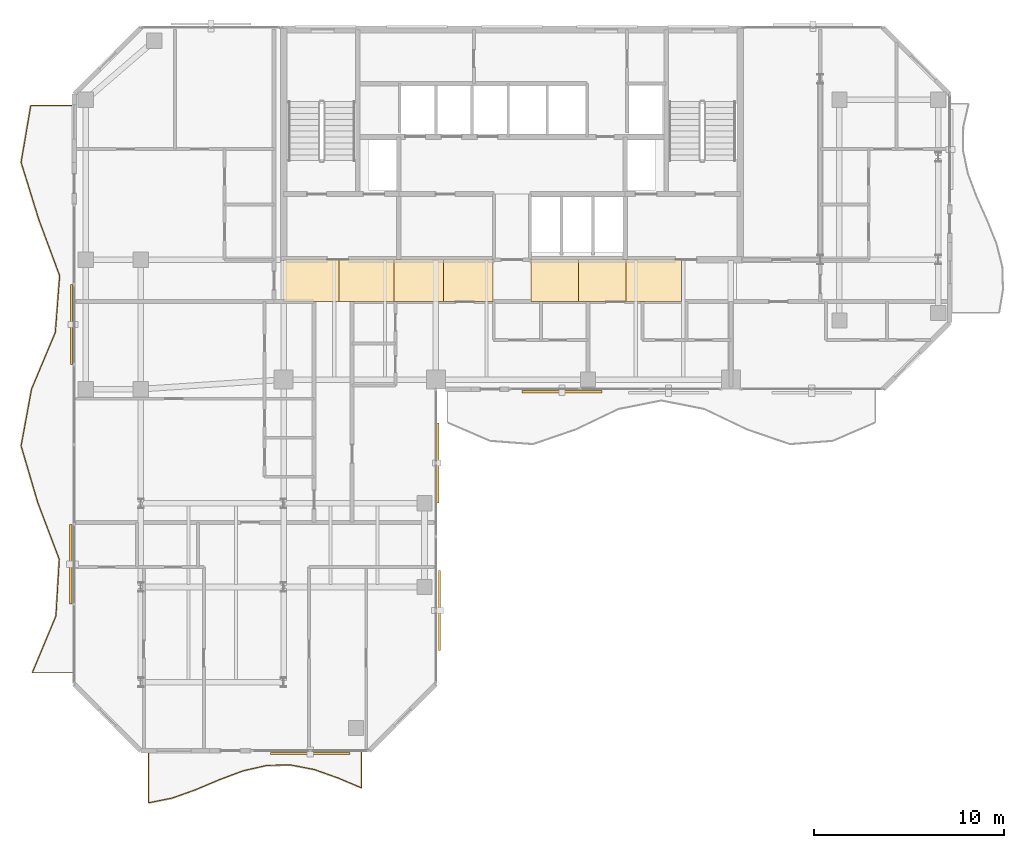
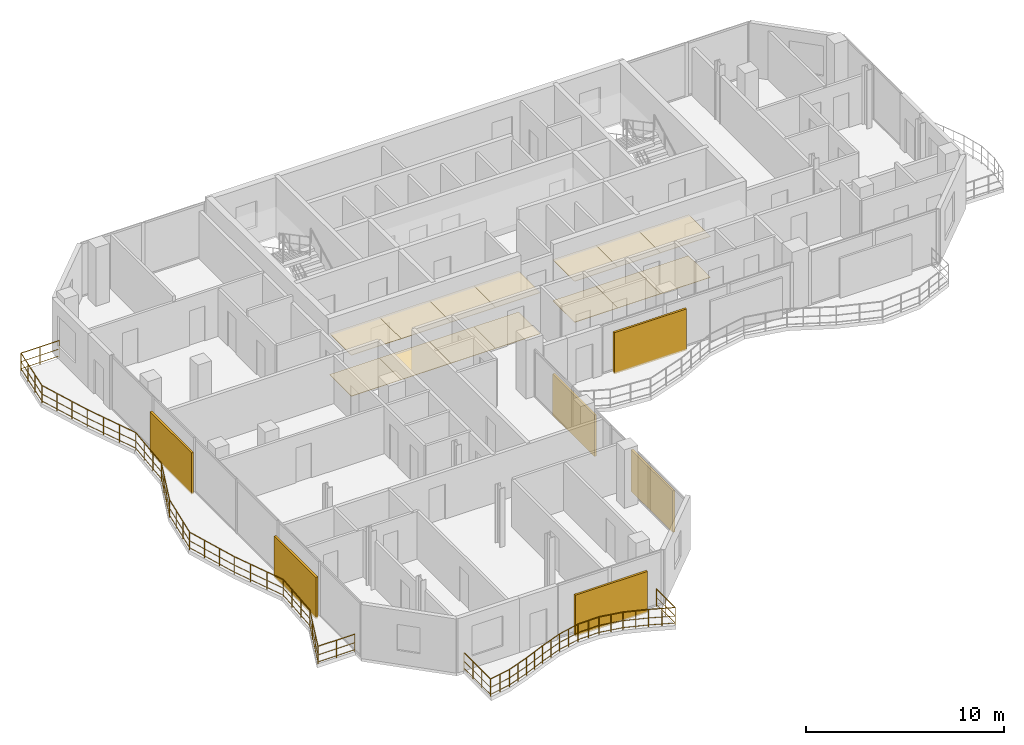
# One storey, part 22 of 24: 14 coverings, 6 shading devices, 2 railings.
"""IFC4 building model written with IfcOpenShell, lengths in metres."""

from ifc_helpers import new_model, si_unit, direction, frame, origin, origin_2d, place, context, subcontext, project, spatial, polyline, rectangle, circle, outline, extrude, material, layer, layer_set, type_object, element, save


model = new_model("IFC4")

# Units and contexts
model_context = context("Model", 3, precision=1e-05, world=origin(), true_north=direction((0.0, 1.0)))
body_context = subcontext(model_context, "Body", "Model", "MODEL_VIEW")
ifc_project = project(units=[si_unit("LENGTHUNIT", "METRE"), si_unit("AREAUNIT", "SQUARE_METRE"), si_unit("VOLUMEUNIT", "CUBIC_METRE"), si_unit("PLANEANGLEUNIT", "RADIAN"), si_unit("MASSUNIT", "GRAM", prefix="KILO")], contexts=[model_context])

# Site, building, storey
site_placement = place(None, origin())
site = spatial("IfcSite", under=ifc_project, at=site_placement, CompositionType="ELEMENT")
building_placement = place(site_placement, origin())
building = spatial("IfcBuilding", under=site, at=building_placement, Name="Catumbela Crestline Tower", CompositionType="ELEMENT")
storey_placement = place(building_placement, frame((0.0, 0.0, 154.2)))
storey = spatial("IfcBuildingStorey", under=building, at=storey_placement, Name="L39", CompositionType="ELEMENT", Elevation=154.2)

# Coverings
ifc_material_1 = material(Name="Mineral-fibre acoustic ceiling")
ifc_layer_1 = layer(ifc_material_1, 0.03, Name="Mineral-fibre acoustic ceiling")
ifc_layer_set_1 = layer_set([ifc_layer_1], Name="Mineral-fibre acoustic ceiling")
covering_type_1 = type_object("IfcCoveringType", Name="CC-AC", PredefinedType="CEILING", material=ifc_layer_set_1)
covering_1_placement = place(storey_placement, frame((0.0, 0.0, 2.52)))
element("IfcCovering", 1, at=covering_1_placement, inside=storey, type_object=covering_type_1, Name="L39 Corridor Acoustic Ceiling Bay 1", PredefinedType="CEILING", context=body_context, shape_type="SweptSolid", body=[
    extrude(outline(polyline([(16.0, 28.6), (18.9, 28.6), (18.9, 30.8), (16.0, 30.8), (16.0, 28.6)])), origin(), (0.0, 0.0, 1.0), 0.03),
])
covering_2_placement = place(storey_placement, frame((0.0, 0.0, 2.52)))
element("IfcCovering", 2, at=covering_2_placement, inside=storey, type_object=covering_type_1, Name="L39 Corridor Acoustic Ceiling Bay 2", PredefinedType="CEILING", context=body_context, shape_type="SweptSolid", body=[
    extrude(outline(polyline([(18.9, 28.6), (21.8, 28.6), (21.8, 30.8), (18.9, 30.8), (18.9, 28.6)])), origin(), (0.0, 0.0, 1.0), 0.03),
])
covering_3_placement = place(storey_placement, frame((0.0, 0.0, 2.52)))
element("IfcCovering", 3, at=covering_3_placement, inside=storey, type_object=covering_type_1, Name="L39 Corridor Acoustic Ceiling Bay 3", PredefinedType="CEILING", context=body_context, shape_type="SweptSolid", body=[
    extrude(outline(polyline([(21.8, 28.6), (24.4, 28.6), (24.4, 30.8), (21.8, 30.8), (21.8, 28.6)])), origin(), (0.0, 0.0, 1.0), 0.03),
])
covering_4_placement = place(storey_placement, frame((0.0, 0.0, 2.52)))
element("IfcCovering", 4, at=covering_4_placement, inside=storey, type_object=covering_type_1, Name="L39 Corridor Acoustic Ceiling Bay 4", PredefinedType="CEILING", context=body_context, shape_type="SweptSolid", body=[
    extrude(outline(polyline([(24.4, 28.6), (27.0, 28.6), (27.0, 30.8), (24.4, 30.8), (24.4, 28.6)])), origin(), (0.0, 0.0, 1.0), 0.03),
])
covering_5_placement = place(storey_placement, frame((0.0, 0.0, 2.52)))
element("IfcCovering", 5, at=covering_5_placement, inside=storey, type_object=covering_type_1, Name="L39 Corridor Acoustic Ceiling Bay 5", PredefinedType="CEILING", context=body_context, shape_type="SweptSolid", body=[
    extrude(outline(polyline([(29.0, 28.6), (31.5, 28.6), (31.5, 30.8), (29.0, 30.8), (29.0, 28.6)])), origin(), (0.0, 0.0, 1.0), 0.03),
])
covering_6_placement = place(storey_placement, frame((0.0, 0.0, 2.52)))
element("IfcCovering", 6, at=covering_6_placement, inside=storey, type_object=covering_type_1, Name="L39 Corridor Acoustic Ceiling Bay 6", PredefinedType="CEILING", context=body_context, shape_type="SweptSolid", body=[
    extrude(outline(polyline([(31.5, 28.6), (34.0, 28.6), (34.0, 30.8), (31.5, 30.8), (31.5, 28.6)])), origin(), (0.0, 0.0, 1.0), 0.03),
])
covering_7_placement = place(storey_placement, frame((0.0, 0.0, 2.52)))
element("IfcCovering", 7, at=covering_7_placement, inside=storey, type_object=covering_type_1, Name="L39 Corridor Acoustic Ceiling Bay 7", PredefinedType="CEILING", context=body_context, shape_type="SweptSolid", body=[
    extrude(outline(polyline([(34.0, 28.6), (36.9, 28.6), (36.9, 30.8), (34.0, 30.8), (34.0, 28.6)])), origin(), (0.0, 0.0, 1.0), 0.03),
])
ifc_material_2 = material(Name="Angolan grey-ochre granite", Category="masonry")
ifc_layer_2 = layer(ifc_material_2, 0.025, Name="Angolan grey-ochre granite")
ifc_layer_set_2 = layer_set([ifc_layer_2], Name="Angolan grey-ochre granite")
covering_type_2 = type_object("IfcCoveringType", Name="CF-GR", PredefinedType="FLOORING", material=ifc_layer_set_2)
covering_8_placement = place(storey_placement, origin())
element("IfcCovering", 8, at=covering_8_placement, inside=storey, type_object=covering_type_2, Name="L39 Corridor Granite Flooring Bay 1", PredefinedType="FLOORING", context=body_context, shape_type="SweptSolid", body=[
    extrude(outline(polyline([(16.0, 28.6), (18.9, 28.6), (18.9, 30.8), (16.0, 30.8), (16.0, 28.6)])), origin(), (0.0, 0.0, 1.0), 0.025),
])
covering_9_placement = place(storey_placement, origin())
element("IfcCovering", 9, at=covering_9_placement, inside=storey, type_object=covering_type_2, Name="L39 Corridor Granite Flooring Bay 2", PredefinedType="FLOORING", context=body_context, shape_type="SweptSolid", body=[
    extrude(outline(polyline([(18.9, 28.6), (21.8, 28.6), (21.8, 30.8), (18.9, 30.8), (18.9, 28.6)])), origin(), (0.0, 0.0, 1.0), 0.025),
])
covering_10_placement = place(storey_placement, origin())
element("IfcCovering", 10, at=covering_10_placement, inside=storey, type_object=covering_type_2, Name="L39 Corridor Granite Flooring Bay 3", PredefinedType="FLOORING", context=body_context, shape_type="SweptSolid", body=[
    extrude(outline(polyline([(21.8, 28.6), (24.4, 28.6), (24.4, 30.8), (21.8, 30.8), (21.8, 28.6)])), origin(), (0.0, 0.0, 1.0), 0.025),
])
covering_11_placement = place(storey_placement, origin())
element("IfcCovering", 11, at=covering_11_placement, inside=storey, type_object=covering_type_2, Name="L39 Corridor Granite Flooring Bay 4", PredefinedType="FLOORING", context=body_context, shape_type="SweptSolid", body=[
    extrude(outline(polyline([(24.4, 28.6), (27.0, 28.6), (27.0, 30.8), (24.4, 30.8), (24.4, 28.6)])), origin(), (0.0, 0.0, 1.0), 0.025),
])
covering_12_placement = place(storey_placement, origin())
element("IfcCovering", 12, at=covering_12_placement, inside=storey, type_object=covering_type_2, Name="L39 Corridor Granite Flooring Bay 5", PredefinedType="FLOORING", context=body_context, shape_type="SweptSolid", body=[
    extrude(outline(polyline([(29.0, 28.6), (31.5, 28.6), (31.5, 30.8), (29.0, 30.8), (29.0, 28.6)])), origin(), (0.0, 0.0, 1.0), 0.025),
])
covering_13_placement = place(storey_placement, origin())
element("IfcCovering", 13, at=covering_13_placement, inside=storey, type_object=covering_type_2, Name="L39 Corridor Granite Flooring Bay 6", PredefinedType="FLOORING", context=body_context, shape_type="SweptSolid", body=[
    extrude(outline(polyline([(31.5, 28.6), (34.0, 28.6), (34.0, 30.8), (31.5, 30.8), (31.5, 28.6)])), origin(), (0.0, 0.0, 1.0), 0.025),
])
covering_14_placement = place(storey_placement, origin())
element("IfcCovering", 14, at=covering_14_placement, inside=storey, type_object=covering_type_2, Name="L39 Corridor Granite Flooring Bay 7", PredefinedType="FLOORING", context=body_context, shape_type="SweptSolid", body=[
    extrude(outline(polyline([(34.0, 28.6), (36.9, 28.6), (36.9, 30.8), (34.0, 30.8), (34.0, 28.6)])), origin(), (0.0, 0.0, 1.0), 0.025),
])

# Railings
ifc_material_3 = material(Name="Stainless steel EN 1.4401", Category="steel")
railing_type = type_object("IfcRailingType", Name="RB-1100", PredefinedType="BALUSTRADE", material=ifc_material_3)
railing_1_placement = place(storey_placement, frame((8.9, 4.94, 0.0)))
element("IfcRailing", 15, at=railing_1_placement, inside=storey, type_object=railing_type, Name="L39 Private Wave Balcony Balustrade 3", PredefinedType="BALUSTRADE", context=body_context, shape_type="SweptSolid", body=[
    extrude(circle(Radius=0.024, at=origin_2d()), frame((0.0, 0.0, 1.076), z_axis=(0.0, -1.0, 0.0), x_axis=(1.0, 0.0, 0.0)), (0.0, 0.0, 1.0), 2.6733),
    extrude(circle(Radius=0.0156, at=origin_2d()), frame((0.0, 0.0, 0.55), z_axis=(0.0, -1.0, 0.0), x_axis=(1.0, 0.0, 0.0)), (0.0, 0.0, 1.0), 2.6733),
    extrude(circle(Radius=0.0156, at=origin_2d()), frame((0.0, 0.0, 0.12), z_axis=(0.0, -1.0, 0.0), x_axis=(1.0, 0.0, 0.0)), (0.0, 0.0, 1.0), 2.6733),
    extrude(circle(Radius=0.024, at=origin_2d()), frame((0.0, -2.6733, 1.076), z_axis=(0.980819432038, 0.194918551545, 0.0), x_axis=(-0.194918551545, 0.980819432038, 0.0)), (0.0, 0.0, 1.0), 1.2687),
    extrude(circle(Radius=0.0156, at=origin_2d()), frame((0.0, -2.6733, 0.55), z_axis=(0.980819432038, 0.194918551545, 0.0), x_axis=(-0.194918551545, 0.980819432038, 0.0)), (0.0, 0.0, 1.0), 1.2687),
    extrude(circle(Radius=0.0156, at=origin_2d()), frame((0.0, -2.6733, 0.12), z_axis=(0.980819432038, 0.194918551545, 0.0), x_axis=(-0.194918551545, 0.980819432038, 0.0)), (0.0, 0.0, 1.0), 1.2687),
    extrude(circle(Radius=0.024, at=origin_2d()), frame((1.2444, -2.426, 1.076), z_axis=(0.94149347443, 0.337031211618, 0.0), x_axis=(-0.337031211618, 0.94149347443, 0.0)), (0.0, 0.0, 1.0), 1.3218),
    extrude(circle(Radius=0.0156, at=origin_2d()), frame((1.2444, -2.426, 0.55), z_axis=(0.94149347443, 0.337031211618, 0.0), x_axis=(-0.337031211618, 0.94149347443, 0.0)), (0.0, 0.0, 1.0), 1.3218),
    extrude(circle(Radius=0.0156, at=origin_2d()), frame((1.2444, -2.426, 0.12), z_axis=(0.94149347443, 0.337031211618, 0.0), x_axis=(-0.337031211618, 0.94149347443, 0.0)), (0.0, 0.0, 1.0), 1.3218),
    extrude(circle(Radius=0.024, at=origin_2d()), frame((2.4889, -1.9805, 1.076), z_axis=(0.921279625293, 0.388900825431, 0.0), x_axis=(-0.388900825431, 0.921279625293, 0.0)), (0.0, 0.0, 1.0), 1.3507),
    extrude(circle(Radius=0.0156, at=origin_2d()), frame((2.4889, -1.9805, 0.55), z_axis=(0.921279625293, 0.388900825431, 0.0), x_axis=(-0.388900825431, 0.921279625293, 0.0)), (0.0, 0.0, 1.0), 1.3507),
    extrude(circle(Radius=0.0156, at=origin_2d()), frame((2.4889, -1.9805, 0.12), z_axis=(0.921279625293, 0.388900825431, 0.0), x_axis=(-0.388900825431, 0.921279625293, 0.0)), (0.0, 0.0, 1.0), 1.3507),
    extrude(circle(Radius=0.024, at=origin_2d()), frame((3.7333, -1.4552, 1.076), z_axis=(0.936597979253, 0.350405800836, 0.0), x_axis=(-0.350405800836, 0.936597979253, 0.0)), (0.0, 0.0, 1.0), 1.3287),
    extrude(circle(Radius=0.0156, at=origin_2d()), frame((3.7333, -1.4552, 0.55), z_axis=(0.936597979253, 0.350405800836, 0.0), x_axis=(-0.350405800836, 0.936597979253, 0.0)), (0.0, 0.0, 1.0), 1.3287),
    extrude(circle(Radius=0.0156, at=origin_2d()), frame((3.7333, -1.4552, 0.12), z_axis=(0.936597979253, 0.350405800836, 0.0), x_axis=(-0.350405800836, 0.936597979253, 0.0)), (0.0, 0.0, 1.0), 1.3287),
    extrude(circle(Radius=0.024, at=origin_2d()), frame((4.9778, -0.9896, 1.076), z_axis=(0.975237445725, 0.221160404358, 0.0), x_axis=(-0.221160404358, 0.975237445725, 0.0)), (0.0, 0.0, 1.0), 1.276),
    extrude(circle(Radius=0.0156, at=origin_2d()), frame((4.9778, -0.9896, 0.55), z_axis=(0.975237445725, 0.221160404358, 0.0), x_axis=(-0.221160404358, 0.975237445725, 0.0)), (0.0, 0.0, 1.0), 1.276),
    extrude(circle(Radius=0.0156, at=origin_2d()), frame((4.9778, -0.9896, 0.12), z_axis=(0.975237445725, 0.221160404358, 0.0), x_axis=(-0.221160404358, 0.975237445725, 0.0)), (0.0, 0.0, 1.0), 1.276),
    extrude(circle(Radius=0.024, at=origin_2d()), frame((6.2222, -0.7074, 1.076), z_axis=(0.999815644587, 0.019200959346, 0.0), x_axis=(-0.019200959346, 0.999815644587, 0.0)), (0.0, 0.0, 1.0), 1.2447),
    extrude(circle(Radius=0.0156, at=origin_2d()), frame((6.2222, -0.7074, 0.55), z_axis=(0.999815644587, 0.019200959346, 0.0), x_axis=(-0.019200959346, 0.999815644587, 0.0)), (0.0, 0.0, 1.0), 1.2447),
    extrude(circle(Radius=0.0156, at=origin_2d()), frame((6.2222, -0.7074, 0.12), z_axis=(0.999815644587, 0.019200959346, 0.0), x_axis=(-0.019200959346, 0.999815644587, 0.0)), (0.0, 0.0, 1.0), 1.2447),
    extrude(circle(Radius=0.024, at=origin_2d()), frame((7.4667, -0.6835, 1.076), z_axis=(0.981772727961, -0.190058703123, 0.0), x_axis=(0.190058703123, 0.981772727961, 0.0)), (0.0, 0.0, 1.0), 1.2675),
    extrude(circle(Radius=0.0156, at=origin_2d()), frame((7.4667, -0.6835, 0.55), z_axis=(0.981772727961, -0.190058703123, 0.0), x_axis=(0.190058703123, 0.981772727961, 0.0)), (0.0, 0.0, 1.0), 1.2675),
    extrude(circle(Radius=0.0156, at=origin_2d()), frame((7.4667, -0.6835, 0.12), z_axis=(0.981772727961, -0.190058703123, 0.0), x_axis=(0.190058703123, 0.981772727961, 0.0)), (0.0, 0.0, 1.0), 1.2675),
    extrude(circle(Radius=0.024, at=origin_2d()), frame((8.7111, -0.9244, 1.076), z_axis=(0.942450839963, -0.334344753591, 0.0), x_axis=(0.334344753591, 0.942450839963, 0.0)), (0.0, 0.0, 1.0), 1.3205),
    extrude(circle(Radius=0.0156, at=origin_2d()), frame((8.7111, -0.9244, 0.55), z_axis=(0.942450839963, -0.334344753591, 0.0), x_axis=(0.334344753591, 0.942450839963, 0.0)), (0.0, 0.0, 1.0), 1.3205),
    extrude(circle(Radius=0.0156, at=origin_2d()), frame((8.7111, -0.9244, 0.12), z_axis=(0.942450839963, -0.334344753591, 0.0), x_axis=(0.334344753591, 0.942450839963, 0.0)), (0.0, 0.0, 1.0), 1.3205),
    extrude(circle(Radius=0.024, at=origin_2d()), frame((9.9556, -1.3659, 1.076), z_axis=(0.921359189048, -0.388712290462, 0.0), x_axis=(0.388712290462, 0.921359189048, 0.0)), (0.0, 0.0, 1.0), 1.3506),
    extrude(circle(Radius=0.0156, at=origin_2d()), frame((9.9556, -1.3659, 0.55), z_axis=(0.921359189048, -0.388712290462, 0.0), x_axis=(0.388712290462, 0.921359189048, 0.0)), (0.0, 0.0, 1.0), 1.3506),
    extrude(circle(Radius=0.0156, at=origin_2d()), frame((9.9556, -1.3659, 0.12), z_axis=(0.921359189048, -0.388712290462, 0.0), x_axis=(0.388712290462, 0.921359189048, 0.0)), (0.0, 0.0, 1.0), 1.3506),
    extrude(circle(Radius=0.024, at=origin_2d()), frame((11.2, -1.8909, 1.076), z_axis=(0.0, 1.0, 0.0), x_axis=(-1.0, 0.0, 0.0)), (0.0, 0.0, 1.0), 1.8909),
    extrude(circle(Radius=0.0156, at=origin_2d()), frame((11.2, -1.8909, 0.55), z_axis=(0.0, 1.0, 0.0), x_axis=(-1.0, 0.0, 0.0)), (0.0, 0.0, 1.0), 1.8909),
    extrude(circle(Radius=0.0156, at=origin_2d()), frame((11.2, -1.8909, 0.12), z_axis=(0.0, 1.0, 0.0), x_axis=(-1.0, 0.0, 0.0)), (0.0, 0.0, 1.0), 1.8909),
    extrude(circle(Radius=0.021, at=origin_2d()), origin(), (0.0, 0.0, 1.0), 1.052),
    extrude(circle(Radius=0.021, at=origin_2d()), frame((0.0, -0.8911, 0.0)), (0.0, 0.0, 1.0), 1.052),
    extrude(circle(Radius=0.021, at=origin_2d()), frame((0.0, -1.7822, 0.0)), (0.0, 0.0, 1.0), 1.052),
    extrude(circle(Radius=0.021, at=origin_2d()), frame((0.0, -2.6733, 0.0)), (0.0, 0.0, 1.0), 1.052),
    extrude(circle(Radius=0.021, at=origin_2d()), frame((0.6222, -2.5497, 0.0)), (0.0, 0.0, 1.0), 1.052),
    extrude(circle(Radius=0.021, at=origin_2d()), frame((1.2444, -2.426, 0.0)), (0.0, 0.0, 1.0), 1.052),
    extrude(circle(Radius=0.021, at=origin_2d()), frame((1.8666, -2.2033, 0.0)), (0.0, 0.0, 1.0), 1.052),
    extrude(circle(Radius=0.021, at=origin_2d()), frame((2.4889, -1.9805, 0.0)), (0.0, 0.0, 1.0), 1.052),
    extrude(circle(Radius=0.021, at=origin_2d()), frame((3.1111, -1.7179, 0.0)), (0.0, 0.0, 1.0), 1.052),
    extrude(circle(Radius=0.021, at=origin_2d()), frame((3.7333, -1.4552, 0.0)), (0.0, 0.0, 1.0), 1.052),
    extrude(circle(Radius=0.021, at=origin_2d()), frame((4.3556, -1.2224, 0.0)), (0.0, 0.0, 1.0), 1.052),
    extrude(circle(Radius=0.021, at=origin_2d()), frame((4.9778, -0.9896, 0.0)), (0.0, 0.0, 1.0), 1.052),
    extrude(circle(Radius=0.021, at=origin_2d()), frame((5.6, -0.8485, 0.0)), (0.0, 0.0, 1.0), 1.052),
    extrude(circle(Radius=0.021, at=origin_2d()), frame((6.2222, -0.7074, 0.0)), (0.0, 0.0, 1.0), 1.052),
    extrude(circle(Radius=0.021, at=origin_2d()), frame((6.8444, -0.6955, 0.0)), (0.0, 0.0, 1.0), 1.052),
    extrude(circle(Radius=0.021, at=origin_2d()), frame((7.4667, -0.6835, 0.0)), (0.0, 0.0, 1.0), 1.052),
    extrude(circle(Radius=0.021, at=origin_2d()), frame((8.0889, -0.804, 0.0)), (0.0, 0.0, 1.0), 1.052),
    extrude(circle(Radius=0.021, at=origin_2d()), frame((8.7111, -0.9244, 0.0)), (0.0, 0.0, 1.0), 1.052),
    extrude(circle(Radius=0.021, at=origin_2d()), frame((9.3334, -1.1452, 0.0)), (0.0, 0.0, 1.0), 1.052),
    extrude(circle(Radius=0.021, at=origin_2d()), frame((9.9556, -1.3659, 0.0)), (0.0, 0.0, 1.0), 1.052),
    extrude(circle(Radius=0.021, at=origin_2d()), frame((10.5778, -1.6284, 0.0)), (0.0, 0.0, 1.0), 1.052),
    extrude(circle(Radius=0.021, at=origin_2d()), frame((11.2, -1.8909, 0.0)), (0.0, 0.0, 1.0), 1.052),
    extrude(circle(Radius=0.021, at=origin_2d()), frame((11.2, -0.9455, 0.0)), (0.0, 0.0, 1.0), 1.052),
    extrude(circle(Radius=0.021, at=origin_2d()), frame((11.2, 0.0, 0.0)), (0.0, 0.0, 1.0), 1.052),
])
railing_2_placement = place(storey_placement, frame((4.94, 38.9, 0.0)))
element("IfcRailing", 16, at=railing_2_placement, inside=storey, type_object=railing_type, Name="L39 Private Wave Balcony Balustrade 4", PredefinedType="BALUSTRADE", context=body_context, shape_type="SweptSolid", body=[
    extrude(circle(Radius=0.024, at=origin_2d()), frame((0.0, 0.0, 1.076), z_axis=(-1.0, 0.0, 0.0), x_axis=(0.0, -1.0, 0.0)), (0.0, 0.0, 1.0), 2.2217),
    extrude(circle(Radius=0.0156, at=origin_2d()), frame((0.0, 0.0, 0.55), z_axis=(-1.0, 0.0, 0.0), x_axis=(0.0, -1.0, 0.0)), (0.0, 0.0, 1.0), 2.2217),
    extrude(circle(Radius=0.0156, at=origin_2d()), frame((0.0, 0.0, 0.12), z_axis=(-1.0, 0.0, 0.0), x_axis=(0.0, -1.0, 0.0)), (0.0, 0.0, 1.0), 2.2217),
    extrude(circle(Radius=0.024, at=origin_2d()), frame((-2.2217, 0.0, 1.076), z_axis=(-0.168142020706, -0.985762781237, 0.0), x_axis=(0.985762781237, -0.168142020706, 0.0)), (0.0, 0.0, 1.0), 3.023),
    extrude(circle(Radius=0.0156, at=origin_2d()), frame((-2.2217, 0.0, 0.55), z_axis=(-0.168142020706, -0.985762781237, 0.0), x_axis=(0.985762781237, -0.168142020706, 0.0)), (0.0, 0.0, 1.0), 3.023),
    extrude(circle(Radius=0.0156, at=origin_2d()), frame((-2.2217, 0.0, 0.12), z_axis=(-0.168142020706, -0.985762781237, 0.0), x_axis=(0.985762781237, -0.168142020706, 0.0)), (0.0, 0.0, 1.0), 3.023),
    extrude(circle(Radius=0.024, at=origin_2d()), frame((-2.73, -2.98, 1.076), z_axis=(0.295279666296, -0.955410863803, 0.0), x_axis=(0.955410863803, 0.295279666296, 0.0)), (0.0, 0.0, 1.0), 3.1191),
    extrude(circle(Radius=0.0156, at=origin_2d()), frame((-2.73, -2.98, 0.55), z_axis=(0.295279666296, -0.955410863803, 0.0), x_axis=(0.955410863803, 0.295279666296, 0.0)), (0.0, 0.0, 1.0), 3.1191),
    extrude(circle(Radius=0.0156, at=origin_2d()), frame((-2.73, -2.98, 0.12), z_axis=(0.295279666296, -0.955410863803, 0.0), x_axis=(0.955410863803, 0.295279666296, 0.0)), (0.0, 0.0, 1.0), 3.1191),
    extrude(circle(Radius=0.024, at=origin_2d()), frame((-1.809, -5.96, 1.076), z_axis=(0.347700652861, -0.937605597253, 0.0), x_axis=(0.937605597253, 0.347700652861, 0.0)), (0.0, 0.0, 1.0), 3.1783),
    extrude(circle(Radius=0.0156, at=origin_2d()), frame((-1.809, -5.96, 0.55), z_axis=(0.347700652861, -0.937605597253, 0.0), x_axis=(0.937605597253, 0.347700652861, 0.0)), (0.0, 0.0, 1.0), 3.1783),
    extrude(circle(Radius=0.0156, at=origin_2d()), frame((-1.809, -5.96, 0.12), z_axis=(0.347700652861, -0.937605597253, 0.0), x_axis=(0.937605597253, 0.347700652861, 0.0)), (0.0, 0.0, 1.0), 3.1783),
    extrude(circle(Radius=0.024, at=origin_2d()), frame((-0.7039, -8.94, 1.076), z_axis=(-0.076386901012, -0.997078252372, 0.0), x_axis=(0.997078252372, -0.076386901012, 0.0)), (0.0, 0.0, 1.0), 2.9887),
    extrude(circle(Radius=0.0156, at=origin_2d()), frame((-0.7039, -8.94, 0.55), z_axis=(-0.076386901012, -0.997078252372, 0.0), x_axis=(0.997078252372, -0.076386901012, 0.0)), (0.0, 0.0, 1.0), 2.9887),
    extrude(circle(Radius=0.0156, at=origin_2d()), frame((-0.7039, -8.94, 0.12), z_axis=(-0.076386901012, -0.997078252372, 0.0), x_axis=(0.997078252372, -0.076386901012, 0.0)), (0.0, 0.0, 1.0), 2.9887),
    extrude(circle(Radius=0.024, at=origin_2d()), frame((-0.9322, -11.92, 1.076), z_axis=(-0.386785252451, -0.922169815428, 0.0), x_axis=(0.922169815428, -0.386785252451, 0.0)), (0.0, 0.0, 1.0), 3.2315),
    extrude(circle(Radius=0.0156, at=origin_2d()), frame((-0.9322, -11.92, 0.55), z_axis=(-0.386785252451, -0.922169815428, 0.0), x_axis=(0.922169815428, -0.386785252451, 0.0)), (0.0, 0.0, 1.0), 3.2315),
    extrude(circle(Radius=0.0156, at=origin_2d()), frame((-0.9322, -11.92, 0.12), z_axis=(-0.386785252451, -0.922169815428, 0.0), x_axis=(0.922169815428, -0.386785252451, 0.0)), (0.0, 0.0, 1.0), 3.2315),
    extrude(circle(Radius=0.024, at=origin_2d()), frame((-2.1821, -14.9, 1.076), z_axis=(-0.180828092002, -0.983514718315, 0.0), x_axis=(0.983514718315, -0.180828092002, 0.0)), (0.0, 0.0, 1.0), 3.0299),
    extrude(circle(Radius=0.0156, at=origin_2d()), frame((-2.1821, -14.9, 0.55), z_axis=(-0.180828092002, -0.983514718315, 0.0), x_axis=(0.983514718315, -0.180828092002, 0.0)), (0.0, 0.0, 1.0), 3.0299),
    extrude(circle(Radius=0.0156, at=origin_2d()), frame((-2.1821, -14.9, 0.12), z_axis=(-0.180828092002, -0.983514718315, 0.0), x_axis=(0.983514718315, -0.180828092002, 0.0)), (0.0, 0.0, 1.0), 3.0299),
    extrude(circle(Radius=0.024, at=origin_2d()), frame((-2.73, -17.88, 1.076), z_axis=(0.282086144934, -0.959389080007, 0.0), x_axis=(0.959389080007, 0.282086144934, 0.0)), (0.0, 0.0, 1.0), 3.1061),
    extrude(circle(Radius=0.0156, at=origin_2d()), frame((-2.73, -17.88, 0.55), z_axis=(0.282086144934, -0.959389080007, 0.0), x_axis=(0.959389080007, 0.282086144934, 0.0)), (0.0, 0.0, 1.0), 3.1061),
    extrude(circle(Radius=0.0156, at=origin_2d()), frame((-2.73, -17.88, 0.12), z_axis=(0.282086144934, -0.959389080007, 0.0), x_axis=(0.959389080007, 0.282086144934, 0.0)), (0.0, 0.0, 1.0), 3.1061),
    extrude(circle(Radius=0.024, at=origin_2d()), frame((-1.8538, -20.86, 1.076), z_axis=(0.35447734323, -0.935064603723, 0.0), x_axis=(0.935064603723, 0.35447734323, 0.0)), (0.0, 0.0, 1.0), 3.1869),
    extrude(circle(Radius=0.0156, at=origin_2d()), frame((-1.8538, -20.86, 0.55), z_axis=(0.35447734323, -0.935064603723, 0.0), x_axis=(0.935064603723, 0.35447734323, 0.0)), (0.0, 0.0, 1.0), 3.1869),
    extrude(circle(Radius=0.0156, at=origin_2d()), frame((-1.8538, -20.86, 0.12), z_axis=(0.35447734323, -0.935064603723, 0.0), x_axis=(0.935064603723, 0.35447734323, 0.0)), (0.0, 0.0, 1.0), 3.1869),
    extrude(circle(Radius=0.024, at=origin_2d()), frame((-0.7241, -23.84, 1.076), z_axis=(-0.059024430229, -0.998256538489, 0.0), x_axis=(0.998256538489, -0.059024430229, 0.0)), (0.0, 0.0, 1.0), 2.9852),
    extrude(circle(Radius=0.0156, at=origin_2d()), frame((-0.7241, -23.84, 0.55), z_axis=(-0.059024430229, -0.998256538489, 0.0), x_axis=(0.998256538489, -0.059024430229, 0.0)), (0.0, 0.0, 1.0), 2.9852),
    extrude(circle(Radius=0.0156, at=origin_2d()), frame((-0.7241, -23.84, 0.12), z_axis=(-0.059024430229, -0.998256538489, 0.0), x_axis=(0.998256538489, -0.059024430229, 0.0)), (0.0, 0.0, 1.0), 2.9852),
    extrude(circle(Radius=0.024, at=origin_2d()), frame((-0.9003, -26.82, 1.076), z_axis=(-0.384518602011, -0.923117243208, 0.0), x_axis=(0.923117243208, -0.384518602011, 0.0)), (0.0, 0.0, 1.0), 3.2282),
    extrude(circle(Radius=0.0156, at=origin_2d()), frame((-0.9003, -26.82, 0.55), z_axis=(-0.384518602011, -0.923117243208, 0.0), x_axis=(0.923117243208, -0.384518602011, 0.0)), (0.0, 0.0, 1.0), 3.2282),
    extrude(circle(Radius=0.0156, at=origin_2d()), frame((-0.9003, -26.82, 0.12), z_axis=(-0.384518602011, -0.923117243208, 0.0), x_axis=(0.923117243208, -0.384518602011, 0.0)), (0.0, 0.0, 1.0), 3.2282),
    extrude(circle(Radius=0.024, at=origin_2d()), frame((-2.1416, -29.8, 1.076), z_axis=(1.0, 0.0, 0.0), x_axis=(0.0, 1.0, 0.0)), (0.0, 0.0, 1.0), 2.1416),
    extrude(circle(Radius=0.0156, at=origin_2d()), frame((-2.1416, -29.8, 0.55), z_axis=(1.0, 0.0, 0.0), x_axis=(0.0, 1.0, 0.0)), (0.0, 0.0, 1.0), 2.1416),
    extrude(circle(Radius=0.0156, at=origin_2d()), frame((-2.1416, -29.8, 0.12), z_axis=(1.0, 0.0, 0.0), x_axis=(0.0, 1.0, 0.0)), (0.0, 0.0, 1.0), 2.1416),
    extrude(circle(Radius=0.021, at=origin_2d()), origin(), (0.0, 0.0, 1.0), 1.052),
    extrude(circle(Radius=0.021, at=origin_2d()), frame((-1.1109, 0.0, 0.0)), (0.0, 0.0, 1.0), 1.052),
    extrude(circle(Radius=0.021, at=origin_2d()), frame((-2.2217, 0.0, 0.0)), (0.0, 0.0, 1.0), 1.052),
    extrude(circle(Radius=0.021, at=origin_2d()), frame((-2.3911, -0.9933, 0.0)), (0.0, 0.0, 1.0), 1.052),
    extrude(circle(Radius=0.021, at=origin_2d()), frame((-2.5606, -1.9867, 0.0)), (0.0, 0.0, 1.0), 1.052),
    extrude(circle(Radius=0.021, at=origin_2d()), frame((-2.73, -2.98, 0.0)), (0.0, 0.0, 1.0), 1.052),
    extrude(circle(Radius=0.021, at=origin_2d()), frame((-2.423, -3.9733, 0.0)), (0.0, 0.0, 1.0), 1.052),
    extrude(circle(Radius=0.021, at=origin_2d()), frame((-2.116, -4.9667, 0.0)), (0.0, 0.0, 1.0), 1.052),
    extrude(circle(Radius=0.021, at=origin_2d()), frame((-1.809, -5.96, 0.0)), (0.0, 0.0, 1.0), 1.052),
    extrude(circle(Radius=0.021, at=origin_2d()), frame((-1.4406, -6.9533, 0.0)), (0.0, 0.0, 1.0), 1.052),
    extrude(circle(Radius=0.021, at=origin_2d()), frame((-1.0723, -7.9467, 0.0)), (0.0, 0.0, 1.0), 1.052),
    extrude(circle(Radius=0.021, at=origin_2d()), frame((-0.7039, -8.94, 0.0)), (0.0, 0.0, 1.0), 1.052),
    extrude(circle(Radius=0.021, at=origin_2d()), frame((-0.78, -9.9333, 0.0)), (0.0, 0.0, 1.0), 1.052),
    extrude(circle(Radius=0.021, at=origin_2d()), frame((-0.8561, -10.9267, 0.0)), (0.0, 0.0, 1.0), 1.052),
    extrude(circle(Radius=0.021, at=origin_2d()), frame((-0.9322, -11.92, 0.0)), (0.0, 0.0, 1.0), 1.052),
    extrude(circle(Radius=0.021, at=origin_2d()), frame((-1.3488, -12.9133, 0.0)), (0.0, 0.0, 1.0), 1.052),
    extrude(circle(Radius=0.021, at=origin_2d()), frame((-1.7655, -13.9067, 0.0)), (0.0, 0.0, 1.0), 1.052),
    extrude(circle(Radius=0.021, at=origin_2d()), frame((-2.1821, -14.9, 0.0)), (0.0, 0.0, 1.0), 1.052),
    extrude(circle(Radius=0.021, at=origin_2d()), frame((-2.3647, -15.8933, 0.0)), (0.0, 0.0, 1.0), 1.052),
    extrude(circle(Radius=0.021, at=origin_2d()), frame((-2.5474, -16.8867, 0.0)), (0.0, 0.0, 1.0), 1.052),
    extrude(circle(Radius=0.021, at=origin_2d()), frame((-2.73, -17.88, 0.0)), (0.0, 0.0, 1.0), 1.052),
    extrude(circle(Radius=0.021, at=origin_2d()), frame((-2.4379, -18.8733, 0.0)), (0.0, 0.0, 1.0), 1.052),
    extrude(circle(Radius=0.021, at=origin_2d()), frame((-2.1459, -19.8667, 0.0)), (0.0, 0.0, 1.0), 1.052),
    extrude(circle(Radius=0.021, at=origin_2d()), frame((-1.8538, -20.86, 0.0)), (0.0, 0.0, 1.0), 1.052),
    extrude(circle(Radius=0.021, at=origin_2d()), frame((-1.4772, -21.8533, 0.0)), (0.0, 0.0, 1.0), 1.052),
    extrude(circle(Radius=0.021, at=origin_2d()), frame((-1.1007, -22.8467, 0.0)), (0.0, 0.0, 1.0), 1.052),
    extrude(circle(Radius=0.021, at=origin_2d()), frame((-0.7241, -23.84, 0.0)), (0.0, 0.0, 1.0), 1.052),
    extrude(circle(Radius=0.021, at=origin_2d()), frame((-0.7828, -24.8333, 0.0)), (0.0, 0.0, 1.0), 1.052),
    extrude(circle(Radius=0.021, at=origin_2d()), frame((-0.8416, -25.8267, 0.0)), (0.0, 0.0, 1.0), 1.052),
    extrude(circle(Radius=0.021, at=origin_2d()), frame((-0.9003, -26.82, 0.0)), (0.0, 0.0, 1.0), 1.052),
    extrude(circle(Radius=0.021, at=origin_2d()), frame((-1.3141, -27.8133, 0.0)), (0.0, 0.0, 1.0), 1.052),
    extrude(circle(Radius=0.021, at=origin_2d()), frame((-1.7278, -28.8067, 0.0)), (0.0, 0.0, 1.0), 1.052),
    extrude(circle(Radius=0.021, at=origin_2d()), frame((-2.1416, -29.8, 0.0)), (0.0, 0.0, 1.0), 1.052),
    extrude(circle(Radius=0.021, at=origin_2d()), frame((-1.0708, -29.8, 0.0)), (0.0, 0.0, 1.0), 1.052),
    extrude(circle(Radius=0.021, at=origin_2d()), frame((0.0, -29.8, 0.0)), (0.0, 0.0, 1.0), 1.052),
])

# Shading devices
ifc_material_4 = material(Name="Extruded terracotta ceramic", Category="masonry")
shading_device_type_1 = type_object("IfcShadingDeviceType", Name="ST-180", PredefinedType="USERDEFINED", material=ifc_material_4)
shading_device_placement = place(storey_placement, frame((24.099, 20.125, -0.1), z_axis=(0.0, 0.0, 1.0), x_axis=(0.0, 1.0, 0.0)))
element("IfcShadingDevice", 17, at=shading_device_placement, inside=storey, type_object=shading_device_type_1, Name="L39 Perforated Terracotta Solar Screen 418 (180 mm)", ObjectType="SCREEN", PredefinedType="USERDEFINED", context=body_context, shape_type="SweptSolid", body=[
    extrude(rectangle(XDim=4.2, YDim=0.12, at=origin_2d()), origin(), (0.0, 0.0, 1.0), 2.55),
])
shading_device_type_2 = type_object("IfcShadingDeviceType", Name="ST-260", PredefinedType="USERDEFINED", material=ifc_material_4)
for number, where, z_axis, x_axis, name in (
    (18, (17.4, 4.857, -0.1), (0.0, 0.0, 1.0), (1.0, 0.0, 0.0), "L39 Perforated Terracotta Solar Screen 416 (260 mm)"),
    (19, (30.6375, 23.857, -0.1), (0.0, 0.0, 1.0), (1.0, 0.0, 0.0), "L39 Perforated Terracotta Solar Screen 419 (260 mm)"),
    (20, (4.857, 27.4, -0.1), (0.0, 0.0, 1.0), (0.0, -1.0, 0.0), "L39 Perforated Terracotta Solar Screen 425 (260 mm)"),
):
    element("IfcShadingDevice", number, at=place(storey_placement, frame(where, z_axis=z_axis, x_axis=x_axis)), inside=storey, type_object=shading_device_type_2, Name=name, ObjectType="SCREEN", PredefinedType="USERDEFINED", context=body_context, shape_type="SweptSolid", body=[
        extrude(rectangle(XDim=4.2, YDim=0.12, at=origin_2d()), origin(), (0.0, 0.0, 1.0), 2.55),
    ])
shading_device_type_3 = type_object("IfcShadingDeviceType", Name="ST-340", PredefinedType="USERDEFINED", material=ifc_material_4)
for number, where, z_axis, x_axis, name in (
    (21, (24.187, 12.375, -0.1), (0.0, 0.0, 1.0), (0.0, 1.0, 0.0), "L39 Perforated Terracotta Solar Screen 417 (340 mm)"),
    (22, (4.813, 14.8, -0.1), (0.0, 0.0, 1.0), (0.0, -1.0, 0.0), "L39 Perforated Terracotta Solar Screen 426 (340 mm)"),
):
    element("IfcShadingDevice", number, at=place(storey_placement, frame(where, z_axis=z_axis, x_axis=x_axis)), inside=storey, type_object=shading_device_type_3, Name=name, ObjectType="SCREEN", PredefinedType="USERDEFINED", context=body_context, shape_type="SweptSolid", body=[
        extrude(rectangle(XDim=4.2, YDim=0.12, at=origin_2d()), origin(), (0.0, 0.0, 1.0), 2.55),
    ])

save(model, "model.ifc")
